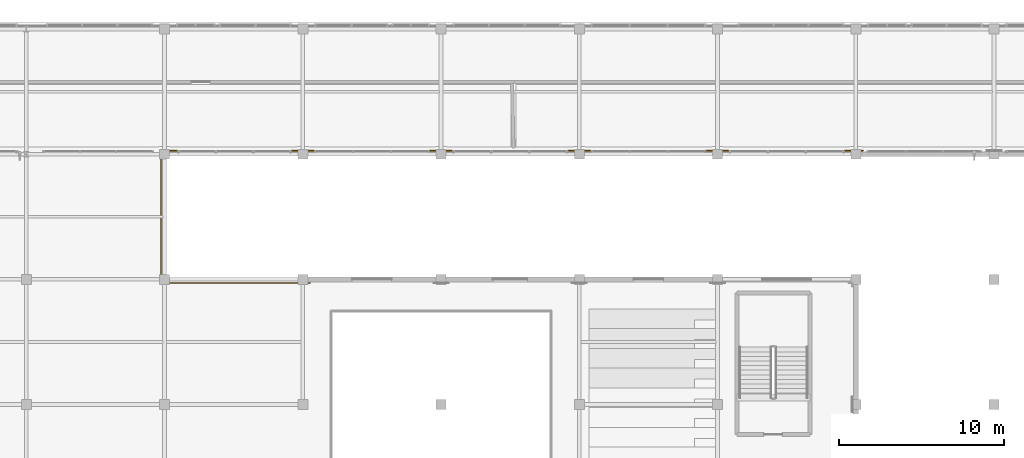
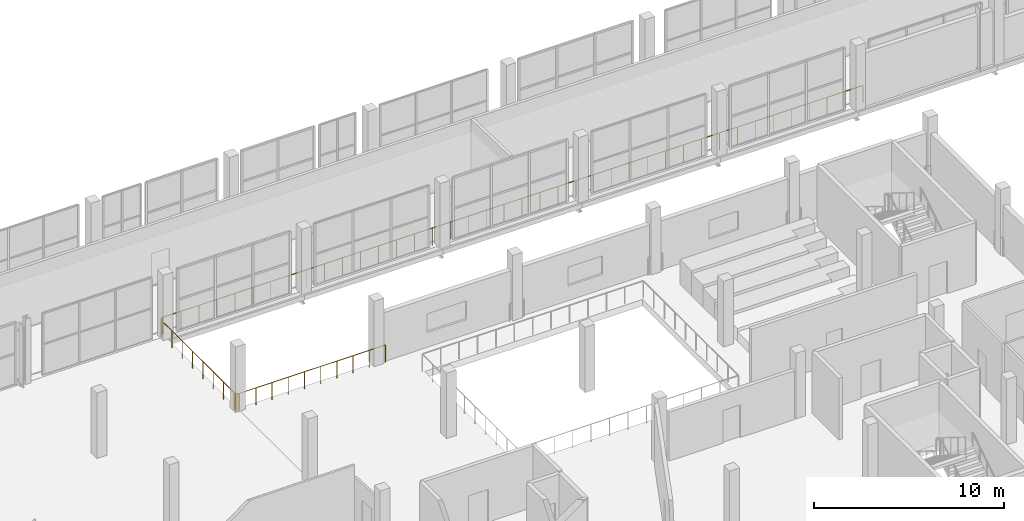
# One storey, part 146 of 151: 1 railing.
"""IFC4 building model written with IfcOpenShell, lengths in metres."""

import ifcopenshell
import ifcopenshell.guid

model = None  # the IFC model being written
_history = None  # IfcOwnerHistory: only IFC2X3 demands one
_inside = {}  # id of a spatial element -> (the spatial element, [elements in it])
_under = {}  # id of a project, library or spatial element -> (it, [spatial elements below it])
_declared = {}  # id of a project -> (the project, [libraries it declares])
_typed = {}  # id of a type object -> (the type object, [elements of that type])
_made_of = {}  # id of a material, layer set ... -> (it, [elements and type objects made of it])


def new_model(schema):
    """Start an empty IFC model of exactly this schema.

    Asked for "IFC4X3", IfcOpenShell would pick the latest addendum, in which some entities
    have other attributes; the version numbers below select the first issue.
    IFC2X3 requires an IfcOwnerHistory on every rooted entity: one is made here for all.
    """
    global model, _history
    if schema == "IFC4X3":
        model = ifcopenshell.file(schema_version=(4, 3, 0, 0))
    else:
        model = ifcopenshell.file(schema=schema)
    _inside.clear()
    _under.clear()
    _declared.clear()
    _typed.clear()
    _made_of.clear()
    _history = None
    if model.schema == "IFC2X3":
        org = make("IfcOrganization", Name="unknown")
        user = make(
            "IfcPersonAndOrganization",
            ThePerson=make("IfcPerson", FamilyName="unknown"),
            TheOrganization=org,
        )
        app = make(
            "IfcApplication",
            ApplicationDeveloper=org,
            Version="unknown",
            ApplicationFullName="unknown",
            ApplicationIdentifier="unknown",
        )
        _history = make(
            "IfcOwnerHistory",
            OwningUser=user,
            OwningApplication=app,
            ChangeAction="ADDED",
            CreationDate=0,
        )
    return model


def make(cls, **values):
    """One entity of the class cls with the attributes given. An attribute that is None is left unset."""
    return model.create_entity(
        cls, **{name: value for name, value in values.items() if value is not None}
    )


def rooted(cls, **values):
    """An entity with a GlobalId (a new one), such as an element, a storey or a relation."""
    return make(cls, GlobalId=ifcopenshell.guid.new(), OwnerHistory=_history, **values)


def si_unit(unit_type, name, prefix=None):
    """IfcSIUnit, for example si_unit("LENGTHUNIT", "METRE", prefix="MILLI")."""
    return make("IfcSIUnit", UnitType=unit_type, Prefix=prefix, Name=name)


def assignment(units):
    """IfcUnitAssignment: the units of a project."""
    return None if units is None else make("IfcUnitAssignment", Units=units)


def point(xyz):
    """IfcCartesianPoint."""
    return None if xyz is None else make("IfcCartesianPoint", Coordinates=xyz)


def direction(xyz):
    """IfcDirection."""
    return None if xyz is None else make("IfcDirection", DirectionRatios=xyz)


def frame(location, z_axis=None, x_axis=None):
    """IfcAxis2Placement3D, a coordinate frame: its origin and axes. An axis left out is left unset."""
    return make(
        "IfcAxis2Placement3D",
        Location=point(location),
        Axis=direction(z_axis),
        RefDirection=direction(x_axis),
    )


def frame_2d(location, x_axis=None):
    """IfcAxis2Placement2D, a coordinate frame in the plane: its origin and x axis."""
    return make(
        "IfcAxis2Placement2D", Location=point(location), RefDirection=direction(x_axis)
    )


def origin():
    """The frame at (0, 0, 0) with its axes left unset."""
    return frame((0.0, 0.0, 0.0))


def origin_2d():
    """The frame at (0, 0) in the plane with its x axis left unset."""
    return frame_2d((0.0, 0.0))


def place(relative_to, where):
    """IfcLocalPlacement: puts the frame where relative to a parent placement (None: the world)."""
    return make(
        "IfcLocalPlacement", PlacementRelTo=relative_to, RelativePlacement=where
    )


def context(
    kind, dimensions, precision=None, world=None, true_north=None, identifier=None
):
    """IfcGeometricRepresentationContext, for example the 3D "Model" context."""
    return make(
        "IfcGeometricRepresentationContext",
        ContextIdentifier=identifier,
        ContextType=kind,
        CoordinateSpaceDimension=dimensions,
        Precision=precision,
        WorldCoordinateSystem=world,
        TrueNorth=true_north,
    )


def subcontext(parent, identifier, kind, view, scale=None):
    """IfcGeometricRepresentationSubContext, for example "Body" below "Model"."""
    return make(
        "IfcGeometricRepresentationSubContext",
        ContextIdentifier=identifier,
        ContextType=kind,
        ParentContext=parent,
        TargetScale=scale,
        TargetView=view,
    )


def project(units=None, contexts=None):
    """IfcProject with its units and contexts."""
    return rooted(
        "IfcProject",
        Name="project",
        RepresentationContexts=contexts,
        UnitsInContext=assignment(units),
    )


def spatial(cls, under=None, at=None, **own):
    """A site, building, storey or space (cls), placed at a placement, below another one or the project."""
    s = rooted(cls, ObjectPlacement=at, **own)
    if under is not None:
        _under.setdefault(under.id(), (under, []))[1].append(s)
    return s


def profile(cls, at=None, kind="AREA", **sizes):
    """A parametric profile (cls). Its sizes go by their IFC names, for example OverallWidth=200.0."""
    return make(cls, ProfileType=kind, Position=at, **sizes)


def circle(**sizes):
    """IfcCircleProfileDef."""
    return profile("IfcCircleProfileDef", **sizes)


def extrude(swept, where, along, depth):
    """IfcExtrudedAreaSolid: the profile swept, set in the frame where, extruded along a direction by depth."""
    return make(
        "IfcExtrudedAreaSolid",
        SweptArea=swept,
        Position=where,
        ExtrudedDirection=direction(along),
        Depth=depth,
    )


def shape(context_of_items, identifier, shape_type, items):
    """IfcShapeRepresentation: the items that make up one representation, for example the "Body"."""
    return make(
        "IfcShapeRepresentation",
        ContextOfItems=context_of_items,
        RepresentationIdentifier=identifier,
        RepresentationType=shape_type,
        Items=items,
    )


def material(Name=None, Category=None):
    """IfcMaterial."""
    return make("IfcMaterial", Name=Name, Category=Category)


def made_of(thing, what):
    """Note that an element or type object is made of a material, layer set ...; save() writes the relation."""
    if what is not None:
        _made_of.setdefault(what.id(), (what, []))[1].append(thing)
    return thing


def type_object(cls, material=None, **own):
    """A type object (cls), such as IfcWallType, which elements share."""
    return made_of(rooted(cls, **own), material)


def element(
    cls,
    number,
    at=None,
    inside=None,
    cuts=None,
    type_object=None,
    material=None,
    context=None,
    identifier="Body",
    shape_type=None,
    held_by="IfcProductDefinitionShape",
    body=None,
    shapes=None,
    **own,
):
    """One element of the class cls, such as IfcWall. Its Tag is "e" and its number.

    at: its placement. inside: the storey or other place that contains it. cuts: it is an
    opening in that element (IfcRelVoidsElement). A single representation is given by context,
    identifier, shape_type and body (its items); several are given by shapes. held_by: the class
    of the entity that holds the representations. save() writes the other relations.
    """
    e = rooted(cls, Tag="e%d" % number, ObjectPlacement=at, **own)
    if body is not None:
        shapes = [shape(context, identifier, shape_type, body)]
    if shapes is not None:
        e.Representation = make(held_by, Representations=shapes)
    if inside is not None:
        _inside.setdefault(inside.id(), (inside, []))[1].append(e)
    if cuts is not None:
        rooted(
            "IfcRelVoidsElement", RelatingBuildingElement=cuts, RelatedOpeningElement=e
        )
    if type_object is not None:
        _typed.setdefault(type_object.id(), (type_object, []))[1].append(e)
    return made_of(e, material)


def aggregate(whole, parts):
    """IfcRelAggregates: a whole, such as a stair, and the parts it consists of."""
    return rooted("IfcRelAggregates", RelatingObject=whole, RelatedObjects=parts)


def save(model, path):
    """Write the relations noted so far, then the file.

    IfcRelAggregates (storeys below a building ...), IfcRelContainedInSpatialStructure (elements
    in a storey), IfcRelDefinesByType, IfcRelAssociatesMaterial and IfcRelDeclares: one each for
    every whole, place, type object, material and project.
    """
    for whole, parts in _under.values():
        aggregate(whole, parts)
    for where, things in _inside.values():
        rooted(
            "IfcRelContainedInSpatialStructure",
            RelatedElements=things,
            RelatingStructure=where,
        )
    for kind, things in _typed.values():
        rooted("IfcRelDefinesByType", RelatedObjects=things, RelatingType=kind)
    for what, things in _made_of.values():
        rooted("IfcRelAssociatesMaterial", RelatedObjects=things, RelatingMaterial=what)
    for by, libraries in _declared.values():
        rooted("IfcRelDeclares", RelatingContext=by, RelatedDefinitions=libraries)
    model.write(path)


model = new_model("IFC4")

# Units and contexts
model_context = context("Model", 3, precision=1e-05, world=origin(), true_north=direction((0.0, 1.0)))
body_context = subcontext(model_context, "Body", "Model", "MODEL_VIEW")
ifc_project = project(units=[si_unit("LENGTHUNIT", "METRE"), si_unit("AREAUNIT", "SQUARE_METRE"), si_unit("VOLUMEUNIT", "CUBIC_METRE"), si_unit("PLANEANGLEUNIT", "RADIAN"), si_unit("MASSUNIT", "GRAM", prefix="KILO")], contexts=[model_context])

# Site, building, storey
site_placement = place(None, origin())
site = spatial("IfcSite", under=ifc_project, at=site_placement, CompositionType="ELEMENT")
building_placement = place(site_placement, origin())
building = spatial("IfcBuilding", under=site, at=building_placement, Name="Zuvorla Pavilion Media Centre", CompositionType="ELEMENT")
storey_placement = place(building_placement, frame((0.0, 0.0, 13.800048828125)))
storey = spatial("IfcBuildingStorey", under=building, at=storey_placement, Name="L03", CompositionType="ELEMENT", Elevation=13.800048828125)

# Railing
ifc_material = material(Name="Powder-coated steel balustrade guard", Category="steel")
railing_type = type_object("IfcRailingType", Name="RL-INT-GRD", PredefinedType="BALUSTRADE", material=ifc_material)
railing_placement = place(storey_placement, frame((109.239990234375, 44.219970703125, 0.0)))
element("IfcRailing", 1, at=railing_placement, inside=storey, type_object=railing_type, Name="L03 slab edge guard 92", PredefinedType="BALUSTRADE", context=body_context, shape_type="SweptSolid", body=[
    extrude(circle(Radius=0.02392578125, at=origin_2d()), frame((-0.02880859375, 0.0, 1.09619140625), z_axis=(-1.0, 0.0, 0.0), x_axis=(0.0, -1.0, 0.0)), (0.0, 0.0, 1.0), 42.38232421875),
    extrude(circle(Radius=0.02392578125, at=origin_2d()), frame((-42.443115234375, -0.000244140625, 1.09619140625), z_axis=(-0.99899155401, -0.044898496809, 0.0), x_axis=(0.044898496809, -0.99899155401, 0.0)), (0.0, 0.0, 1.0), 0.02001953125),
    extrude(circle(Radius=0.02392578125, at=origin_2d()), frame((-42.46484375, -0.00146484375, 1.09619140625), z_axis=(-0.989019580795, -0.147784535061, 0.0), x_axis=(0.147784535061, -0.989019580795, 0.0)), (0.0, 0.0, 1.0), 0.02001953125),
    extrude(circle(Radius=0.02392578125, at=origin_2d()), frame((-42.486083984375, -0.0048828125, 1.09619140625), z_axis=(-0.968802704478, -0.247833249983, 0.0), x_axis=(0.247833249983, -0.968802704478, 0.0)), (0.0, 0.0, 1.0), 0.02001953125),
    extrude(circle(Radius=0.02392578125, at=origin_2d()), frame((-42.5068359375, -0.010498046875, 1.09619140625), z_axis=(-0.94403554212, -0.329843743632, 0.0), x_axis=(0.329843743632, -0.94403554212, 0.0)), (0.0, 0.0, 1.0), 0.02001953125),
    extrude(circle(Radius=0.02392578125, at=origin_2d()), frame((-42.527099609375, -0.01806640625, 1.09619140625), z_axis=(-0.903277504354, -0.429056814568, 0.0), x_axis=(0.429056814568, -0.903277504354, 0.0)), (0.0, 0.0, 1.0), 0.02001953125),
    extrude(circle(Radius=0.02392578125, at=origin_2d()), frame((-42.54638671875, -0.027587890625, 1.09619140625), z_axis=(-0.855500079018, -0.517802679406, 0.0), x_axis=(0.517802679406, -0.855500079018, 0.0)), (0.0, 0.0, 1.0), 0.02001953125),
    extrude(circle(Radius=0.02392578125, at=origin_2d()), frame((-42.56494140625, -0.0390625, 1.09619140625), z_axis=(-0.806766093747, -0.590870941899, 0.0), x_axis=(0.590870941899, -0.806766093747, 0.0)), (0.0, 0.0, 1.0), 0.02001953125),
    extrude(circle(Radius=0.02392578125, at=origin_2d()), frame((-42.58203125, -0.052001953125, 1.09619140625), z_axis=(-0.739940073396, -0.672672793996, 0.0), x_axis=(0.672672793996, -0.739940073396, 0.0)), (0.0, 0.0, 1.0), 0.02001953125),
    extrude(circle(Radius=0.02392578125, at=origin_2d()), frame((-42.597900390625, -0.06689453125, 1.09619140625), z_axis=(-0.672105592782, -0.740455314082, 0.0), x_axis=(0.740455314082, -0.672105592782, 0.0)), (0.0, 0.0, 1.0), 0.02001953125),
    extrude(circle(Radius=0.02392578125, at=origin_2d()), frame((-42.612060546875, -0.0830078125, 1.09619140625), z_axis=(-0.590870941899, -0.806766093747, 0.0), x_axis=(0.806766093747, -0.590870941899, 0.0)), (0.0, 0.0, 1.0), 0.02001953125),
    extrude(circle(Radius=0.02392578125, at=origin_2d()), frame((-42.62451171875, -0.100341796875, 1.09619140625), z_axis=(-0.517802679406, -0.855500079018, 0.0), x_axis=(0.855500079018, -0.517802679406, 0.0)), (0.0, 0.0, 1.0), 0.02001953125),
    extrude(circle(Radius=0.02392578125, at=origin_2d()), frame((-42.635498046875, -0.119140625, 1.09619140625), z_axis=(-0.429056814568, -0.903277504354, 0.0), x_axis=(0.903277504354, -0.429056814568, 0.0)), (0.0, 0.0, 1.0), 0.02001953125),
    extrude(circle(Radius=0.02392578125, at=origin_2d()), frame((-42.644287109375, -0.138671875, 1.09619140625), z_axis=(-0.329843743632, -0.94403554212, 0.0), x_axis=(0.94403554212, -0.329843743632, 0.0)), (0.0, 0.0, 1.0), 0.02001953125),
    extrude(circle(Radius=0.02392578125, at=origin_2d()), frame((-42.651123046875, -0.1591796875, 1.09619140625), z_axis=(-0.247833249983, -0.968802704478, 0.0), x_axis=(0.968802704478, -0.247833249983, 0.0)), (0.0, 0.0, 1.0), 0.02001953125),
    extrude(circle(Radius=0.02392578125, at=origin_2d()), frame((-42.65625, -0.18017578125, 1.09619140625), z_axis=(-0.146141233759, -0.989263736218, 0.0), x_axis=(0.989263736218, -0.146141233759, 0.0)), (0.0, 0.0, 1.0), 0.02001953125),
    extrude(circle(Radius=0.02392578125, at=origin_2d()), frame((-42.6591796875, -0.20166015625, 1.09619140625), z_axis=(-0.045407660919, -0.99896854021, 0.0), x_axis=(0.99896854021, -0.045407660919, 0.0)), (0.0, 0.0, 1.0), 0.02001953125),
    extrude(circle(Radius=0.02392578125, at=origin_2d()), frame((-42.659912109375, -0.248779296875, 1.09619140625), z_axis=(0.0, -1.0, 0.0), x_axis=(1.0, 0.0, 0.0)), (0.0, 0.0, 1.0), 7.54248046875),
    extrude(circle(Radius=0.02392578125, at=origin_2d()), frame((-42.65966796875, -7.8232421875, 1.09619140625), z_axis=(0.045407660919, -0.99896854021, 0.0), x_axis=(0.99896854021, 0.045407660919, 0.0)), (0.0, 0.0, 1.0), 0.02001953125),
    extrude(circle(Radius=0.02392578125, at=origin_2d()), frame((-42.658447265625, -7.8447265625, 1.09619140625), z_axis=(0.147784535061, -0.989019580795, 0.0), x_axis=(0.989019580795, 0.147784535061, 0.0)), (0.0, 0.0, 1.0), 0.02001953125),
    extrude(circle(Radius=0.02392578125, at=origin_2d()), frame((-42.655029296875, -7.865966796875, 1.09619140625), z_axis=(0.247833249983, -0.968802704478, 0.0), x_axis=(0.968802704478, 0.247833249983, 0.0)), (0.0, 0.0, 1.0), 0.02001953125),
    extrude(circle(Radius=0.02392578125, at=origin_2d()), frame((-42.6494140625, -7.88671875, 1.09619140625), z_axis=(0.329843743632, -0.94403554212, 0.0), x_axis=(0.94403554212, 0.329843743632, 0.0)), (0.0, 0.0, 1.0), 0.02001953125),
    extrude(circle(Radius=0.02392578125, at=origin_2d()), frame((-42.641845703125, -7.906982421875, 1.09619140625), z_axis=(0.429056814568, -0.903277504354, 0.0), x_axis=(0.903277504354, 0.429056814568, 0.0)), (0.0, 0.0, 1.0), 0.02001953125),
    extrude(circle(Radius=0.02392578125, at=origin_2d()), frame((-42.63232421875, -7.92626953125, 1.09619140625), z_axis=(0.517802679406, -0.855500079018, 0.0), x_axis=(0.855500079018, 0.517802679406, 0.0)), (0.0, 0.0, 1.0), 0.02001953125),
    extrude(circle(Radius=0.02392578125, at=origin_2d()), frame((-42.620849609375, -7.94482421875, 1.09619140625), z_axis=(0.590870941899, -0.806766093747, 0.0), x_axis=(0.806766093747, 0.590870941899, 0.0)), (0.0, 0.0, 1.0), 0.02001953125),
    extrude(circle(Radius=0.02392578125, at=origin_2d()), frame((-42.60791015625, -7.9619140625, 1.09619140625), z_axis=(0.666464602953, -0.74553667449, 0.0), x_axis=(0.74553667449, 0.666464602953, 0.0)), (0.0, 0.0, 1.0), 0.02001953125),
    extrude(circle(Radius=0.02392578125, at=origin_2d()), frame((-42.59326171875, -7.977783203125, 1.09619140625), z_axis=(0.74553667449, -0.666464602953, 0.0), x_axis=(0.666464602953, 0.74553667449, 0.0)), (0.0, 0.0, 1.0), 0.02001953125),
    extrude(circle(Radius=0.02392578125, at=origin_2d()), frame((-42.576904296875, -7.991943359375, 1.09619140625), z_axis=(0.801352360136, -0.598192606862, 0.0), x_axis=(0.598192606862, 0.801352360136, 0.0)), (0.0, 0.0, 1.0), 0.02001953125),
    extrude(circle(Radius=0.02392578125, at=origin_2d()), frame((-42.5595703125, -8.004638671875, 1.09619140625), z_axis=(0.860475389039, -0.509492006668, 0.0), x_axis=(0.509492006668, 0.860475389039, 0.0)), (0.0, 0.0, 1.0), 0.02001953125),
    extrude(circle(Radius=0.02392578125, at=origin_2d()), frame((-42.540771484375, -8.015380859375, 1.09619140625), z_axis=(0.903277504354, -0.429056814568, 0.0), x_axis=(0.429056814568, 0.903277504354, 0.0)), (0.0, 0.0, 1.0), 0.02001953125),
    extrude(circle(Radius=0.02392578125, at=origin_2d()), frame((-42.521240234375, -8.0244140625, 1.09619140625), z_axis=(0.940453312461, -0.339922884022, 0.0), x_axis=(0.339922884022, 0.940453312461, 0.0)), (0.0, 0.0, 1.0), 0.02001953125),
    extrude(circle(Radius=0.02392578125, at=origin_2d()), frame((-42.500732421875, -8.03125, 1.09619140625), z_axis=(0.968802704478, -0.247833249983, 0.0), x_axis=(0.247833249983, 0.968802704478, 0.0)), (0.0, 0.0, 1.0), 0.02001953125),
    extrude(circle(Radius=0.02392578125, at=origin_2d()), frame((-42.479736328125, -8.036376953125, 1.09619140625), z_axis=(0.990621129243, -0.136637397137, 0.0), x_axis=(0.136637397137, 0.990621129243, 0.0)), (0.0, 0.0, 1.0), 0.02001953125),
    extrude(circle(Radius=0.02392578125, at=origin_2d()), frame((-42.45849609375, -8.0390625, 1.09619140625), z_axis=(0.998425642148, -0.056091328211, 0.0), x_axis=(0.056091328211, 0.998425642148, 0.0)), (0.0, 0.0, 1.0), 0.02001953125),
    extrude(circle(Radius=0.02392578125, at=origin_2d()), frame((-42.4111328125, -8.0400390625, 1.09619140625), z_axis=(1.0, 0.0, 0.0), x_axis=(0.0, 1.0, 0.0)), (0.0, 0.0, 1.0), 8.7822265625),
    extrude(circle(Radius=0.02099609375, at=origin_2d()), origin(), (0.0, 0.0, 1.0), 1.070068359375),
    extrude(circle(Radius=0.02099609375, at=origin_2d()), frame((-1.088134765625, 0.0, 0.0)), (0.0, 0.0, 1.0), 1.070068359375),
    extrude(circle(Radius=0.02099609375, at=origin_2d()), frame((-2.176513671875, 0.0, 0.0)), (0.0, 0.0, 1.0), 1.070068359375),
    extrude(circle(Radius=0.02099609375, at=origin_2d()), frame((-3.2646484375, 0.0, 0.0)), (0.0, 0.0, 1.0), 1.070068359375),
    extrude(circle(Radius=0.02099609375, at=origin_2d()), frame((-4.352783203125, 0.0, 0.0)), (0.0, 0.0, 1.0), 1.070068359375),
    extrude(circle(Radius=0.02099609375, at=origin_2d()), frame((-5.44091796875, 0.0, 0.0)), (0.0, 0.0, 1.0), 1.070068359375),
    extrude(circle(Radius=0.02099609375, at=origin_2d()), frame((-6.529296875, 0.0, 0.0)), (0.0, 0.0, 1.0), 1.070068359375),
    extrude(circle(Radius=0.02099609375, at=origin_2d()), frame((-7.617431640625, 0.0, 0.0)), (0.0, 0.0, 1.0), 1.070068359375),
    extrude(circle(Radius=0.02099609375, at=origin_2d()), frame((-8.70556640625, 0.0, 0.0)), (0.0, 0.0, 1.0), 1.070068359375),
    extrude(circle(Radius=0.02099609375, at=origin_2d()), frame((-9.7939453125, 0.0, 0.0)), (0.0, 0.0, 1.0), 1.070068359375),
    extrude(circle(Radius=0.02099609375, at=origin_2d()), frame((-10.882080078125, 0.0, 0.0)), (0.0, 0.0, 1.0), 1.070068359375),
    extrude(circle(Radius=0.02099609375, at=origin_2d()), frame((-11.97021484375, 0.0, 0.0)), (0.0, 0.0, 1.0), 1.070068359375),
    extrude(circle(Radius=0.02099609375, at=origin_2d()), frame((-13.058349609375, 0.0, 0.0)), (0.0, 0.0, 1.0), 1.070068359375),
    extrude(circle(Radius=0.02099609375, at=origin_2d()), frame((-14.146728515625, 0.0, 0.0)), (0.0, 0.0, 1.0), 1.070068359375),
    extrude(circle(Radius=0.02099609375, at=origin_2d()), frame((-15.23486328125, 0.0, 0.0)), (0.0, 0.0, 1.0), 1.070068359375),
    extrude(circle(Radius=0.02099609375, at=origin_2d()), frame((-16.322998046875, 0.0, 0.0)), (0.0, 0.0, 1.0), 1.070068359375),
    extrude(circle(Radius=0.02099609375, at=origin_2d()), frame((-17.411376953125, 0.0, 0.0)), (0.0, 0.0, 1.0), 1.070068359375),
    extrude(circle(Radius=0.02099609375, at=origin_2d()), frame((-18.49951171875, 0.0, 0.0)), (0.0, 0.0, 1.0), 1.070068359375),
    extrude(circle(Radius=0.02099609375, at=origin_2d()), frame((-19.587646484375, 0.0, 0.0)), (0.0, 0.0, 1.0), 1.070068359375),
    extrude(circle(Radius=0.02099609375, at=origin_2d()), frame((-20.67578125, 0.0, 0.0)), (0.0, 0.0, 1.0), 1.070068359375),
    extrude(circle(Radius=0.02099609375, at=origin_2d()), frame((-21.76416015625, 0.0, 0.0)), (0.0, 0.0, 1.0), 1.070068359375),
    extrude(circle(Radius=0.02099609375, at=origin_2d()), frame((-22.852294921875, 0.0, 0.0)), (0.0, 0.0, 1.0), 1.070068359375),
    extrude(circle(Radius=0.02099609375, at=origin_2d()), frame((-23.9404296875, 0.0, 0.0)), (0.0, 0.0, 1.0), 1.070068359375),
    extrude(circle(Radius=0.02099609375, at=origin_2d()), frame((-25.028564453125, 0.0, 0.0)), (0.0, 0.0, 1.0), 1.070068359375),
    extrude(circle(Radius=0.02099609375, at=origin_2d()), frame((-26.116943359375, 0.0, 0.0)), (0.0, 0.0, 1.0), 1.070068359375),
    extrude(circle(Radius=0.02099609375, at=origin_2d()), frame((-27.205078125, 0.0, 0.0)), (0.0, 0.0, 1.0), 1.070068359375),
    extrude(circle(Radius=0.02099609375, at=origin_2d()), frame((-28.293212890625, 0.0, 0.0)), (0.0, 0.0, 1.0), 1.070068359375),
    extrude(circle(Radius=0.02099609375, at=origin_2d()), frame((-29.381591796875, 0.0, 0.0)), (0.0, 0.0, 1.0), 1.070068359375),
    extrude(circle(Radius=0.02099609375, at=origin_2d()), frame((-30.4697265625, 0.0, 0.0)), (0.0, 0.0, 1.0), 1.070068359375),
    extrude(circle(Radius=0.02099609375, at=origin_2d()), frame((-31.557861328125, 0.0, 0.0)), (0.0, 0.0, 1.0), 1.070068359375),
    extrude(circle(Radius=0.02099609375, at=origin_2d()), frame((-32.64599609375, 0.0, 0.0)), (0.0, 0.0, 1.0), 1.070068359375),
    extrude(circle(Radius=0.02099609375, at=origin_2d()), frame((-33.734375, 0.0, 0.0)), (0.0, 0.0, 1.0), 1.070068359375),
    extrude(circle(Radius=0.02099609375, at=origin_2d()), frame((-34.822509765625, 0.0, 0.0)), (0.0, 0.0, 1.0), 1.070068359375),
    extrude(circle(Radius=0.02099609375, at=origin_2d()), frame((-35.91064453125, 0.0, 0.0)), (0.0, 0.0, 1.0), 1.070068359375),
    extrude(circle(Radius=0.02099609375, at=origin_2d()), frame((-36.9990234375, 0.0, 0.0)), (0.0, 0.0, 1.0), 1.070068359375),
    extrude(circle(Radius=0.02099609375, at=origin_2d()), frame((-38.087158203125, 0.0, 0.0)), (0.0, 0.0, 1.0), 1.070068359375),
    extrude(circle(Radius=0.02099609375, at=origin_2d()), frame((-39.17529296875, 0.0, 0.0)), (0.0, 0.0, 1.0), 1.070068359375),
    extrude(circle(Radius=0.02099609375, at=origin_2d()), frame((-40.263427734375, 0.0, 0.0)), (0.0, 0.0, 1.0), 1.070068359375),
    extrude(circle(Radius=0.02099609375, at=origin_2d()), frame((-41.351806640625, 0.0, 0.0)), (0.0, 0.0, 1.0), 1.070068359375),
    extrude(circle(Radius=0.02099609375, at=origin_2d()), frame((-42.43994140625, 0.0, 0.0)), (0.0, 0.0, 1.0), 1.070068359375),
    extrude(circle(Radius=0.02099609375, at=origin_2d()), frame((-42.461669921875, -0.0009765625, 0.0)), (0.0, 0.0, 1.0), 1.070068359375),
    extrude(circle(Radius=0.02099609375, at=origin_2d()), frame((-42.48291015625, -0.004150390625, 0.0)), (0.0, 0.0, 1.0), 1.070068359375),
    extrude(circle(Radius=0.02099609375, at=origin_2d()), frame((-42.50390625, -0.009521484375, 0.0)), (0.0, 0.0, 1.0), 1.070068359375),
    extrude(circle(Radius=0.02099609375, at=origin_2d()), frame((-42.524169921875, -0.0166015625, 0.0)), (0.0, 0.0, 1.0), 1.070068359375),
    extrude(circle(Radius=0.02099609375, at=origin_2d()), frame((-42.543701171875, -0.02587890625, 0.0)), (0.0, 0.0, 1.0), 1.070068359375),
    extrude(circle(Radius=0.02099609375, at=origin_2d()), frame((-42.562255859375, -0.037109375, 0.0)), (0.0, 0.0, 1.0), 1.070068359375),
    extrude(circle(Radius=0.02099609375, at=origin_2d()), frame((-42.57958984375, -0.0498046875, 0.0)), (0.0, 0.0, 1.0), 1.070068359375),
    extrude(circle(Radius=0.02099609375, at=origin_2d()), frame((-42.595703125, -0.064453125, 0.0)), (0.0, 0.0, 1.0), 1.070068359375),
    extrude(circle(Radius=0.02099609375, at=origin_2d()), frame((-42.610107421875, -0.080322265625, 0.0)), (0.0, 0.0, 1.0), 1.070068359375),
    extrude(circle(Radius=0.02099609375, at=origin_2d()), frame((-42.622802734375, -0.09765625, 0.0)), (0.0, 0.0, 1.0), 1.070068359375),
    extrude(circle(Radius=0.02099609375, at=origin_2d()), frame((-42.634033203125, -0.1162109375, 0.0)), (0.0, 0.0, 1.0), 1.070068359375),
    extrude(circle(Radius=0.02099609375, at=origin_2d()), frame((-42.643310546875, -0.1357421875, 0.0)), (0.0, 0.0, 1.0), 1.070068359375),
    extrude(circle(Radius=0.02099609375, at=origin_2d()), frame((-42.650390625, -0.156005859375, 0.0)), (0.0, 0.0, 1.0), 1.070068359375),
    extrude(circle(Radius=0.02099609375, at=origin_2d()), frame((-42.65576171875, -0.177001953125, 0.0)), (0.0, 0.0, 1.0), 1.070068359375),
    extrude(circle(Radius=0.02099609375, at=origin_2d()), frame((-42.658935546875, -0.198486328125, 0.0)), (0.0, 0.0, 1.0), 1.070068359375),
    extrude(circle(Radius=0.02099609375, at=origin_2d()), frame((-42.659912109375, -0.219970703125, 0.0)), (0.0, 0.0, 1.0), 1.070068359375),
    extrude(circle(Radius=0.02099609375, at=origin_2d()), frame((-42.659912109375, -1.3056640625, 0.0)), (0.0, 0.0, 1.0), 1.070068359375),
    extrude(circle(Radius=0.02099609375, at=origin_2d()), frame((-42.659912109375, -2.391357421875, 0.0)), (0.0, 0.0, 1.0), 1.070068359375),
    extrude(circle(Radius=0.02099609375, at=origin_2d()), frame((-42.659912109375, -3.47705078125, 0.0)), (0.0, 0.0, 1.0), 1.070068359375),
    extrude(circle(Radius=0.02099609375, at=origin_2d()), frame((-42.659912109375, -4.56298828125, 0.0)), (0.0, 0.0, 1.0), 1.070068359375),
    extrude(circle(Radius=0.02099609375, at=origin_2d()), frame((-42.659912109375, -5.648681640625, 0.0)), (0.0, 0.0, 1.0), 1.070068359375),
    extrude(circle(Radius=0.02099609375, at=origin_2d()), frame((-42.659912109375, -6.734375, 0.0)), (0.0, 0.0, 1.0), 1.070068359375),
    extrude(circle(Radius=0.02099609375, at=origin_2d()), frame((-42.659912109375, -7.820068359375, 0.0)), (0.0, 0.0, 1.0), 1.070068359375),
    extrude(circle(Radius=0.02099609375, at=origin_2d()), frame((-42.658935546875, -7.841552734375, 0.0)), (0.0, 0.0, 1.0), 1.070068359375),
    extrude(circle(Radius=0.02099609375, at=origin_2d()), frame((-42.65576171875, -7.86279296875, 0.0)), (0.0, 0.0, 1.0), 1.070068359375),
    extrude(circle(Radius=0.02099609375, at=origin_2d()), frame((-42.650390625, -7.8837890625, 0.0)), (0.0, 0.0, 1.0), 1.070068359375),
    extrude(circle(Radius=0.02099609375, at=origin_2d()), frame((-42.643310546875, -7.904052734375, 0.0)), (0.0, 0.0, 1.0), 1.070068359375),
    extrude(circle(Radius=0.02099609375, at=origin_2d()), frame((-42.634033203125, -7.923583984375, 0.0)), (0.0, 0.0, 1.0), 1.070068359375),
    extrude(circle(Radius=0.02099609375, at=origin_2d()), frame((-42.622802734375, -7.942138671875, 0.0)), (0.0, 0.0, 1.0), 1.070068359375),
    extrude(circle(Radius=0.02099609375, at=origin_2d()), frame((-42.610107421875, -7.95947265625, 0.0)), (0.0, 0.0, 1.0), 1.070068359375),
    extrude(circle(Radius=0.02099609375, at=origin_2d()), frame((-42.595703125, -7.9755859375, 0.0)), (0.0, 0.0, 1.0), 1.070068359375),
    extrude(circle(Radius=0.02099609375, at=origin_2d()), frame((-42.57958984375, -7.989990234375, 0.0)), (0.0, 0.0, 1.0), 1.070068359375),
    extrude(circle(Radius=0.02099609375, at=origin_2d()), frame((-42.562255859375, -8.0029296875, 0.0)), (0.0, 0.0, 1.0), 1.070068359375),
    extrude(circle(Radius=0.02099609375, at=origin_2d()), frame((-42.543701171875, -8.013916015625, 0.0)), (0.0, 0.0, 1.0), 1.070068359375),
    extrude(circle(Radius=0.02099609375, at=origin_2d()), frame((-42.524169921875, -8.023193359375, 0.0)), (0.0, 0.0, 1.0), 1.070068359375),
    extrude(circle(Radius=0.02099609375, at=origin_2d()), frame((-42.50390625, -8.030517578125, 0.0)), (0.0, 0.0, 1.0), 1.070068359375),
    extrude(circle(Radius=0.02099609375, at=origin_2d()), frame((-42.48291015625, -8.035888671875, 0.0)), (0.0, 0.0, 1.0), 1.070068359375),
    extrude(circle(Radius=0.02099609375, at=origin_2d()), frame((-42.461669921875, -8.038818359375, 0.0)), (0.0, 0.0, 1.0), 1.070068359375),
    extrude(circle(Radius=0.02099609375, at=origin_2d()), frame((-42.43994140625, -8.0400390625, 0.0)), (0.0, 0.0, 1.0), 1.070068359375),
    extrude(circle(Radius=0.02099609375, at=origin_2d()), frame((-41.457763671875, -8.0400390625, 0.0)), (0.0, 0.0, 1.0), 1.070068359375),
    extrude(circle(Radius=0.02099609375, at=origin_2d()), frame((-40.4755859375, -8.0400390625, 0.0)), (0.0, 0.0, 1.0), 1.070068359375),
    extrude(circle(Radius=0.02099609375, at=origin_2d()), frame((-39.493408203125, -8.0400390625, 0.0)), (0.0, 0.0, 1.0), 1.070068359375),
    extrude(circle(Radius=0.02099609375, at=origin_2d()), frame((-38.51123046875, -8.0400390625, 0.0)), (0.0, 0.0, 1.0), 1.070068359375),
    extrude(circle(Radius=0.02099609375, at=origin_2d()), frame((-37.52880859375, -8.0400390625, 0.0)), (0.0, 0.0, 1.0), 1.070068359375),
    extrude(circle(Radius=0.02099609375, at=origin_2d()), frame((-36.546630859375, -8.0400390625, 0.0)), (0.0, 0.0, 1.0), 1.070068359375),
    extrude(circle(Radius=0.02099609375, at=origin_2d()), frame((-35.564453125, -8.0400390625, 0.0)), (0.0, 0.0, 1.0), 1.070068359375),
    extrude(circle(Radius=0.02099609375, at=origin_2d()), frame((-34.582275390625, -8.0400390625, 0.0)), (0.0, 0.0, 1.0), 1.070068359375),
    extrude(circle(Radius=0.02099609375, at=origin_2d()), frame((-33.60009765625, -8.0400390625, 0.0)), (0.0, 0.0, 1.0), 1.070068359375),
])

save(model, "model.ifc")
